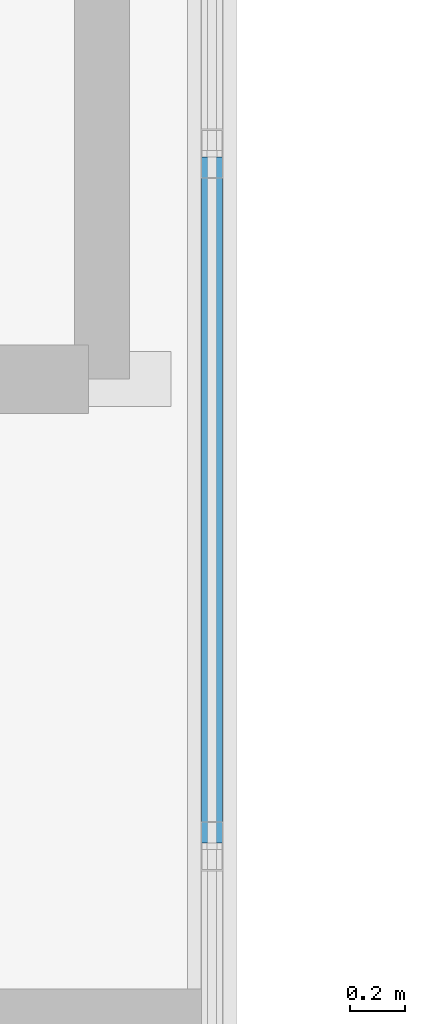
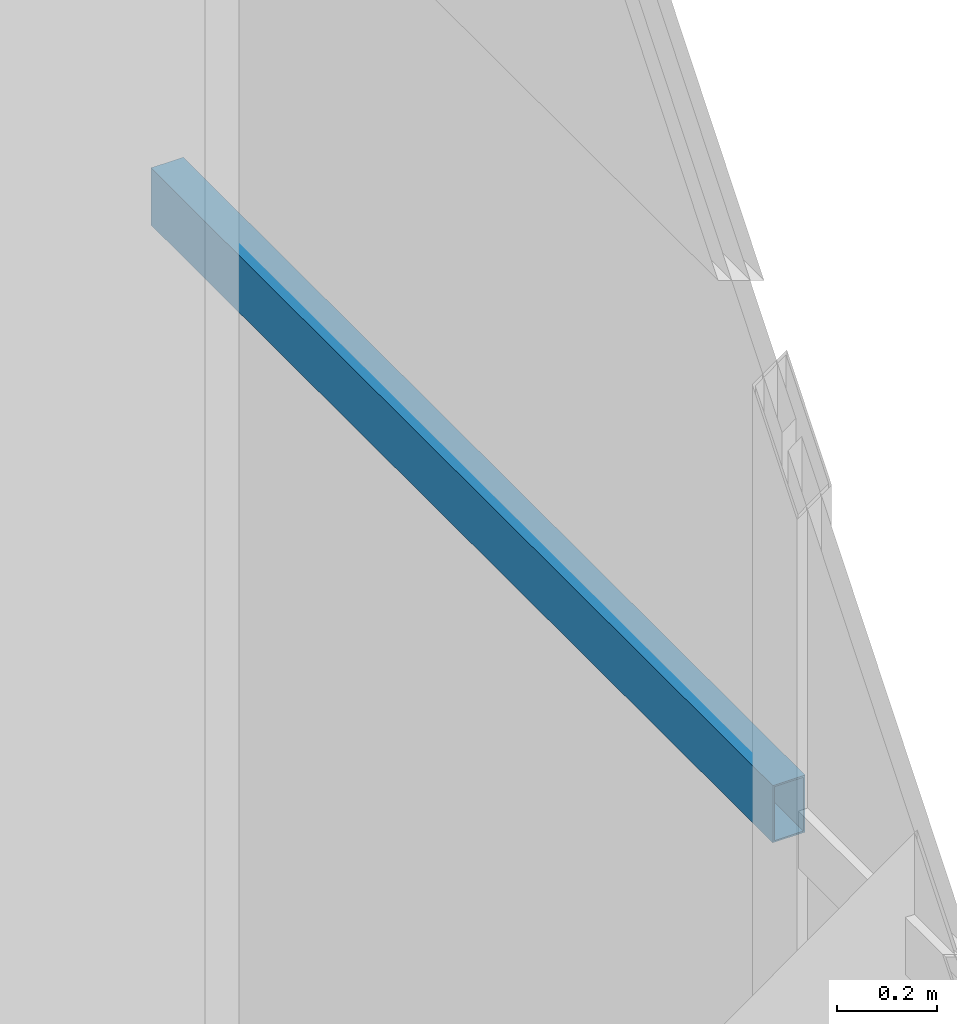
# One storey, part 7 of 25: 1 member, 1 element without a shape of its own.
"""IFC4 building model written with IfcOpenShell, lengths in metres."""

from ifc_helpers import new_model, si_unit, direction, frame, origin, origin_2d, place, context, subcontext, project, spatial, hollow_rectangle, extrude, source, transform, mapped, material, material_profile, profile_set, type_object, element, aggregate, save


model = new_model("IFC4")

# Units and contexts
model_context = context("Model", 3, precision=1e-05, world=origin(), true_north=direction((0.0, 1.0)))
body_context = subcontext(model_context, "Body", "Model", "MODEL_VIEW")
ifc_project = project(units=[si_unit("LENGTHUNIT", "METRE"), si_unit("AREAUNIT", "SQUARE_METRE"), si_unit("VOLUMEUNIT", "CUBIC_METRE"), si_unit("PLANEANGLEUNIT", "RADIAN"), si_unit("MASSUNIT", "GRAM", prefix="KILO")], contexts=[model_context])

# Site, building, storey
site_placement = place(None, origin())
site = spatial("IfcSite", under=ifc_project, at=site_placement, CompositionType="ELEMENT")
building_placement = place(site_placement, origin())
building = spatial("IfcBuilding", under=site, at=building_placement, Name="Trelvane Seafront Commons", CompositionType="ELEMENT")
storey_placement = place(building_placement, frame((0.0, 0.0, 320.89990234375)))
storey = spatial("IfcBuildingStorey", under=building, at=storey_placement, Name="L83", CompositionType="ELEMENT", Elevation=320.89990234375)

# Curtain wall, member
ifc_material = material(Name="Anodised pale-silver aluminium", Category="aluminium")
curtain_wall_type = type_object("IfcCurtainWallType", Name="ARCH-CW6-CROWN", PredefinedType="NOTDEFINED", material=ifc_material)
curtain_wall_placement = place(storey_placement, origin())
curtain_wall = element("IfcCurtainWall", 1, at=curtain_wall_placement, inside=storey, type_object=curtain_wall_type, Name="CW-L83-0162", PredefinedType="NOTDEFINED")
ifc_material_profile = material_profile(ifc_material, hollow_rectangle(XDim=0.074951171875, YDim=0.139892578125, WallThickness=0.00390625, at=origin_2d()), Name="TRAN-75x140x4")
ifc_profile_set = profile_set([ifc_material_profile], Name="Anodised pale-silver aluminium")
member_type = type_object("IfcMemberType", Name="ARCH-CW-TRAN-140", PredefinedType="USERDEFINED", material=ifc_profile_set)
shared_shape = source(origin(), body_context, "Body", "SweptSolid", [
    extrude(hollow_rectangle(XDim=0.074951171875, YDim=0.139892578125, WallThickness=0.00390625, at=origin_2d()), origin(), (0.0, 0.0, 1.0), 2.49609375),
])
member_placement = place(storey_placement, frame((26.60009765625, 34.2080078125, 1.8720703125), z_axis=(0.0, -1.0, 0.0), x_axis=(1.0, 0.0, 0.0)))
member = element("IfcMember", 2, at=member_placement, type_object=member_type, Name="CW-L83-0162-T04", ObjectType="TRANSOM", PredefinedType="USERDEFINED", context=body_context, shape_type="MappedRepresentation", body=[
    mapped(shared_shape, transform((0.0, 0.0, 0.0), x_axis=(1.0, 0.0, 0.0), y_axis=(0.0, 1.0, 0.0), z_axis=(0.0, 0.0, 1.0), scale=1.0)),
])
aggregate(curtain_wall, [member])

save(model, "model.ifc")
